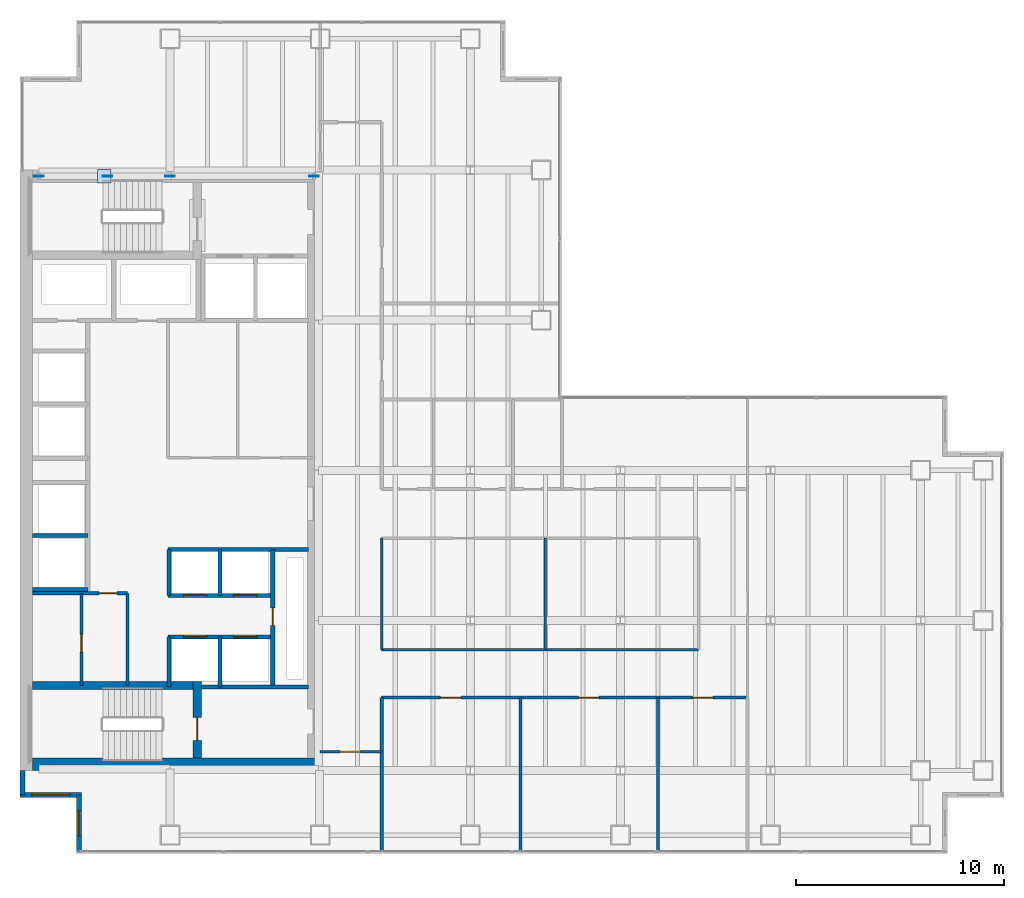
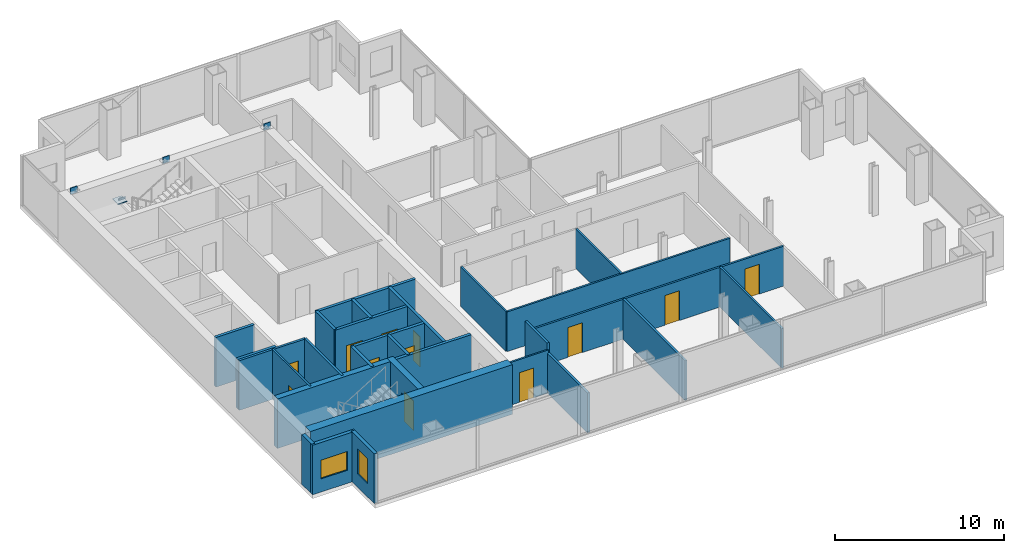
# One storey, part 20 of 23: 29 walls, 12 doors, 5 plates, 2 windows, 14 openings.
"""IFC4 building model written with IfcOpenShell, lengths in metres."""

from ifc_helpers import new_model, si_unit, direction, frame, frame_2d, origin, origin_2d, place, context, subcontext, project, spatial, rectangle, extrude, material, layer, layer_set, type_object, element, fill, save


model = new_model("IFC4")

# Units and contexts
model_context = context("Model", 3, precision=1e-05, world=origin(), true_north=direction((0.0, 1.0)))
body_context = subcontext(model_context, "Body", "Model", "MODEL_VIEW")
ifc_project = project(units=[si_unit("LENGTHUNIT", "METRE"), si_unit("AREAUNIT", "SQUARE_METRE"), si_unit("VOLUMEUNIT", "CUBIC_METRE"), si_unit("PLANEANGLEUNIT", "RADIAN"), si_unit("MASSUNIT", "GRAM", prefix="KILO")], contexts=[model_context])

# Site, building, storey
site_placement = place(None, origin())
site = spatial("IfcSite", under=ifc_project, at=site_placement, CompositionType="ELEMENT")
building_placement = place(site_placement, origin())
building = spatial("IfcBuilding", under=site, at=building_placement, Name="Cobrela Telecom Tower", CompositionType="ELEMENT")
storey_placement = place(building_placement, frame((0.0, 0.0, 113.75)))
storey = spatial("IfcBuildingStorey", under=building, at=storey_placement, Name="L28", CompositionType="ELEMENT", Elevation=113.75)

# Plates
ifc_material_1 = material(Name="Steel ASTM A572 Grade 50", Category="steel")
ifc_layer_1 = layer(ifc_material_1, 0.0419921875)
ifc_layer_set_1 = layer_set([ifc_layer_1], Name="Steel ASTM A572 Grade 50")
plate_type = type_object("IfcPlateType", Name="PLT-NODE-ND1", PredefinedType="USERDEFINED", material=ifc_layer_set_1)
for number, where, z_axis, x_axis, name in (
    (1, (7.199951171875, 35.699951171875, 3.39013671875), (0.0, 0.0, 1.0), (1.0, 0.0, 0.0), "Steel node plate PLT-MBR-EXO-L28-N1-A-1"),
    (2, (4.1953125, 35.699951171875, 1.4755859375), (0.0, 0.0, 1.0), (-1.0, 0.0, 0.0), "Steel node plate PLT-MBR-EXO-L28-N1-B1-1"),
    (3, (0.89990234375, 35.699951171875, 3.39013671875), (0.0, 0.0, 1.0), (-1.0, 0.0, 0.0), "Steel node plate PLT-MBR-EXO-L28-N1-B2-1"),
):
    element("IfcPlate", number, at=place(storey_placement, frame(where, z_axis=z_axis, x_axis=x_axis)), inside=storey, type_object=plate_type, Name=name, ObjectType="GUSSET PLATE", PredefinedType="USERDEFINED", context=body_context, shape_type="SweptSolid", body=[
        extrude(rectangle(XDim=0.4599609375, YDim=0.044921875, at=origin_2d()), origin(), (0.0, 0.0, 1.0), 0.4599609375),
    ])
plate_1_placement = place(storey_placement, frame((4.050048828125, 35.699951171875, 1.767578125), z_axis=(0.0, 0.0, 1.0), x_axis=(1.0, 0.0, 0.0)))
element("IfcPlate", 4, at=plate_1_placement, inside=storey, type_object=plate_type, Name="L28 Core Flange Steel X-Brace Central X-Crossing Gusset Plate", ObjectType="GUSSET PLATE", PredefinedType="USERDEFINED", context=body_context, shape_type="SweptSolid", body=[
    extrude(rectangle(XDim=0.64990234375, YDim=0.64990234375, at=origin_2d()), origin(), (0.0, 0.0, 1.0), 0.044921875),
])
plate_2_placement = place(storey_placement, frame((14.10009765625, 35.699951171875, 3.39013671875), z_axis=(0.0, 0.0, 1.0), x_axis=(1.0, 0.0, 0.0)))
element("IfcPlate", 5, at=plate_2_placement, inside=storey, type_object=plate_type, Name="Steel node plate PLT-MBR-EXO-L28-N2-1", ObjectType="GUSSET PLATE", PredefinedType="USERDEFINED", context=body_context, shape_type="SweptSolid", body=[
    extrude(rectangle(XDim=0.4599609375, YDim=0.044921875, at=origin_2d()), origin(), (0.0, 0.0, 1.0), 0.4599609375),
])

# Wall
ifc_material_2 = material(Name="Concrete C50/60", Category="concrete")
ifc_layer_2 = layer(ifc_material_2, 0.60009765625)
ifc_layer_set_2 = layer_set([ifc_layer_2], Name="Concrete C50/60")
wall_type_1 = type_object("IfcWallType", Name="WALL-CORE-C50-600", PredefinedType="SHEAR", material=ifc_layer_set_2)
wall_1_placement = place(storey_placement, frame((0.60009765625, 7.5, 0.0), z_axis=(0.0, 0.0, 1.0), x_axis=(1.0, 0.0, 0.0)))
element("IfcWall", 6, at=wall_1_placement, inside=storey, type_object=wall_type_1, Name="L28 South Core Shear Wall", PredefinedType="SHEAR", context=body_context, shape_type="SweptSolid", body=[
    extrude(rectangle(XDim=13.7998046875, YDim=0.60009765625, at=frame_2d((6.89990234375, 0.0))), origin(), (0.0, 0.0, 1.0), 3.580078125),
])

# Wall, opening, window
ifc_material_3 = material(Name="Concrete C40/50", Category="concrete")
ifc_layer_3 = layer(ifc_material_3, 0.239990234375)
ifc_layer_set_3 = layer_set([ifc_layer_3], Name="Concrete C40/50")
wall_type_2 = type_object("IfcWallType", Name="WALL-EXT-300", PredefinedType="STANDARD", material=ifc_layer_set_3)
wall_2_placement = place(storey_placement, frame((2.830078125, 3.320068359375, 0.0), z_axis=(0.0, 0.0, 1.0), x_axis=(0.0, 1.0, 0.0)))
wall_2 = element("IfcWall", 7, at=wall_2_placement, inside=storey, type_object=wall_type_2, Name="L28 Insulated Facade Wall 01", PredefinedType="STANDARD", context=body_context, shape_type="SweptSolid", body=[
    extrude(rectangle(XDim=2.7099609375, YDim=0.239990234375, at=frame_2d((1.35498046875, 0.0))), origin(), (0.0, 0.0, 1.0), 3.580078125),
])
opening_1_placement = place(wall_2_placement, frame((0.7548828125, 0.0, 0.949951171875)))
opening_1 = element("IfcOpeningElement", 8, at=opening_1_placement, cuts=wall_2, Name="Opening WN-19", PredefinedType="OPENING", context=body_context, shape_type="SweptSolid", body=[
    extrude(rectangle(XDim=1.199951171875, YDim=1.800048828125, at=frame_2d((0.60009765625, 0.89990234375))), frame((0.0, 0.1318359375, 0.0), z_axis=(0.0, -1.0, 0.0), x_axis=(1.0, 0.0, 0.0)), (0.0, 0.0, 1.0), 0.263916015625),
])
ifc_material_4 = material(Name="Solar-Control Bronze Low-E Glass", Category="glass")
window_type_1 = type_object("IfcWindowType", Name="WIN-MOD-1200", PartitioningType="SINGLE_PANEL", PredefinedType="WINDOW", material=ifc_material_4)
window_1_placement = place(opening_1_placement, origin())
window_1 = element("IfcWindow", 9, at=window_1_placement, inside=storey, type_object=window_type_1, Name="L28 Corner Notch Facade Window 130", OverallHeight=1.800048828125, OverallWidth=1.199951171875, PartitioningType="SINGLE_PANEL", PredefinedType="WINDOW", context=body_context, shape_type="SweptSolid", body=[
    extrude(rectangle(XDim=1.199951171875, YDim=1.800048828125, at=frame_2d((0.60009765625, 0.89990234375))), frame((0.0, 0.030029296875, 0.0), z_axis=(0.0, -1.0, 0.0), x_axis=(1.0, 0.0, 0.0)), (0.0, 0.0, 1.0), 0.06005859375),
])
fill(opening_1, window_1)

wall_3_placement = place(storey_placement, frame((2.949951171875, 6.030029296875, 0.0), z_axis=(0.0, 0.0, 1.0), x_axis=(-1.0, 0.0, 0.0)))
wall_3 = element("IfcWall", 10, at=wall_3_placement, inside=storey, type_object=wall_type_2, Name="L28 Insulated Facade Wall 02", PredefinedType="STANDARD", context=body_context, shape_type="SweptSolid", body=[
    extrude(rectangle(XDim=2.949951171875, YDim=0.239990234375, at=frame_2d((1.47509765625, 0.0))), origin(), (0.0, 0.0, 1.0), 3.580078125),
])
opening_2_placement = place(wall_3_placement, frame((0.574951171875, 0.0, 0.949951171875)))
opening_2 = element("IfcOpeningElement", 11, at=opening_2_placement, cuts=wall_3, Name="Opening WN-27", PredefinedType="OPENING", context=body_context, shape_type="SweptSolid", body=[
    extrude(rectangle(XDim=1.800048828125, YDim=1.35009765625, at=frame_2d((0.89990234375, 0.675048828125))), frame((0.0, 0.1318359375, 0.0), z_axis=(0.0, -1.0, 0.0), x_axis=(1.0, 0.0, 0.0)), (0.0, 0.0, 1.0), 0.263916015625),
])
window_type_2 = type_object("IfcWindowType", Name="WIN-CLER-1800", PartitioningType="SINGLE_PANEL", PredefinedType="WINDOW", material=ifc_material_4)
window_2_placement = place(opening_2_placement, origin())
window_2 = element("IfcWindow", 12, at=window_2_placement, inside=storey, type_object=window_type_2, Name="L28 Corner Notch Facade Window 131", OverallHeight=1.35009765625, OverallWidth=1.800048828125, PartitioningType="SINGLE_PANEL", PredefinedType="WINDOW", context=body_context, shape_type="SweptSolid", body=[
    extrude(rectangle(XDim=1.800048828125, YDim=1.35009765625, at=frame_2d((0.89990234375, 0.675048828125))), frame((0.0, 0.030029296875, 0.0), z_axis=(0.0, -1.0, 0.0), x_axis=(1.0, 0.0, 0.0)), (0.0, 0.0, 1.0), 0.06005859375),
])
fill(opening_2, window_2)

# Wall
wall_4_placement = place(storey_placement, frame((0.1201171875, 6.030029296875, 0.0), z_axis=(0.0, 0.0, 1.0), x_axis=(0.0, 1.0, 0.0)))
element("IfcWall", 13, at=wall_4_placement, inside=storey, type_object=wall_type_2, Name="L28 Insulated Facade Wall 03", PredefinedType="STANDARD", context=body_context, shape_type="SweptSolid", body=[
    extrude(rectangle(XDim=1.169921875, YDim=0.239990234375, at=frame_2d((0.5849609375, 0.0))), origin(), (0.0, 0.0, 1.0), 3.580078125),
])

# Wall, opening, door
ifc_material_5 = material(Name="Fire-Rated Gypsum Plasterboard")
ifc_layer_4 = layer(ifc_material_5, 0.110107421875)
ifc_layer_set_4 = layer_set([ifc_layer_4], Name="Fire-Rated Gypsum Plasterboard")
wall_type_3 = type_object("IfcWallType", Name="WALL-PART-110", PredefinedType="PARTITIONING", material=ifc_layer_set_4)
wall_5_placement = place(storey_placement, frame((14.39990234375, 8.10009765625, 0.0), z_axis=(0.0, 0.0, 1.0), x_axis=(1.0, 0.0, 0.0)))
wall_5 = element("IfcWall", 14, at=wall_5_placement, inside=storey, type_object=wall_type_3, Name="L28 Interior Partition W-UW-S0", PredefinedType="PARTITIONING", context=body_context, shape_type="SweptSolid", body=[
    extrude(rectangle(XDim=2.9501953125, YDim=0.110107421875, at=frame_2d((1.47509765625, 0.0))), origin(), (0.0, 0.0, 1.0), 3.097900390625),
])
opening_3_placement = place(wall_5_placement, frame((0.949951171875, 0.0, 0.0)))
opening_3 = element("IfcOpeningElement", 15, at=opening_3_placement, cuts=wall_5, Name="Opening DR-17", PredefinedType="OPENING", context=body_context, shape_type="SweptSolid", body=[
    extrude(rectangle(XDim=0.97998046875, YDim=2.14990234375, at=frame_2d((0.489990234375, 1.074951171875))), frame((0.0, 0.06689453125, 0.0), z_axis=(0.0, -1.0, 0.0), x_axis=(1.0, 0.0, 0.0)), (0.0, 0.0, 1.0), 0.134033203125),
])
ifc_material_6 = material(Name="Solid Engineered Oak Timber", Category="wood")
door_type_1 = type_object("IfcDoorType", Name="DOOR-INT-980", OperationType="SINGLE_SWING_LEFT", PredefinedType="DOOR", material=ifc_material_6)
door_1_placement = place(opening_3_placement, origin())
door_1 = element("IfcDoor", 16, at=door_1_placement, inside=storey, type_object=door_type_1, Name="L28 Door DR-17", OperationType="SINGLE_SWING_RIGHT", OverallHeight=2.14990234375, OverallWidth=0.97998046875, PredefinedType="DOOR", context=body_context, shape_type="SweptSolid", body=[
    extrude(rectangle(XDim=0.97998046875, YDim=2.14990234375, at=frame_2d((0.489990234375, 1.074951171875))), frame((0.0, 0.02490234375, 0.0), z_axis=(0.0, -1.0, 0.0), x_axis=(1.0, 0.0, 0.0)), (0.0, 0.0, 1.0), 0.050048828125),
])
fill(opening_3, door_1)

ifc_layer_5 = layer(ifc_material_5, 0.125)
ifc_layer_set_5 = layer_set([ifc_layer_5], Name="Fire-Rated Gypsum Plasterboard")
wall_type_4 = type_object("IfcWallType", Name="WALL-PART-125", PredefinedType="PARTITIONING", material=ifc_layer_set_5)
wall_6_placement = place(storey_placement, frame((2.949951171875, 11.280029296875, 0.0), z_axis=(0.0, 0.0, 1.0), x_axis=(0.0, 1.0, 0.0)))
wall_6 = element("IfcWall", 17, at=wall_6_placement, inside=storey, type_object=wall_type_4, Name="L28 Interior Partition CW-FK1-V", PredefinedType="PARTITIONING", context=body_context, shape_type="SweptSolid", body=[
    extrude(rectangle(XDim=4.419921875, YDim=0.125, at=frame_2d((2.2099609375, 0.0))), origin(), (0.0, 0.0, 1.0), 3.580078125),
])
opening_4_placement = place(wall_6_placement, frame((1.60009765625, 0.0, 0.0)))
opening_4 = element("IfcOpeningElement", 18, at=opening_4_placement, cuts=wall_6, Name="Opening DR-11", PredefinedType="OPENING", context=body_context, shape_type="SweptSolid", body=[
    extrude(rectangle(XDim=0.85009765625, YDim=2.14990234375, at=frame_2d((0.425048828125, 1.074951171875))), frame((0.0, 0.074462890625, 0.0), z_axis=(0.0, -1.0, 0.0), x_axis=(1.0, 0.0, 0.0)), (0.0, 0.0, 1.0), 0.14892578125),
])
door_type_2 = type_object("IfcDoorType", Name="DOOR-INT-850", OperationType="SINGLE_SWING_LEFT", PredefinedType="DOOR", material=ifc_material_6)
door_2_placement = place(opening_4_placement, origin())
door_2 = element("IfcDoor", 19, at=door_2_placement, inside=storey, type_object=door_type_2, Name="L28 Door DR-11", OperationType="SINGLE_SWING_RIGHT", OverallHeight=2.14990234375, OverallWidth=0.85009765625, PredefinedType="DOOR", context=body_context, shape_type="SweptSolid", body=[
    extrude(rectangle(XDim=0.85009765625, YDim=2.14990234375, at=frame_2d((0.425048828125, 1.074951171875))), frame((0.0, 0.02490234375, 0.0), z_axis=(0.0, -1.0, 0.0), x_axis=(1.0, 0.0, 0.0)), (0.0, 0.0, 1.0), 0.050048828125),
])
fill(opening_4, door_2)

# Walls
wall_7_placement = place(storey_placement, frame((17.35009765625, 13.0, 0.0), z_axis=(0.0, 0.0, 1.0), x_axis=(0.0, 1.0, 0.0)))
element("IfcWall", 20, at=wall_7_placement, inside=storey, type_object=wall_type_4, Name="L28 Interior Partition W-ISL-W", PredefinedType="PARTITIONING", context=body_context, shape_type="SweptSolid", body=[
    extrude(rectangle(XDim=5.35009765625, YDim=0.125, at=frame_2d((2.675048828125, 0.0))), origin(), (0.0, 0.0, 1.0), 2.868896484375),
])
wall_8_placement = place(storey_placement, frame((17.35009765625, 13.0, 0.0), z_axis=(0.0, 0.0, 1.0), x_axis=(1.0, 0.0, 0.0)))
element("IfcWall", 21, at=wall_8_placement, inside=storey, type_object=wall_type_4, Name="L28 Interior Partition W-ISL-S", PredefinedType="PARTITIONING", context=body_context, shape_type="SweptSolid", body=[
    extrude(rectangle(XDim=15.199951171875, YDim=0.125, at=frame_2d((7.60009765625, 0.0))), origin(), (0.0, 0.0, 1.0), 2.868896484375),
])
wall_9_placement = place(storey_placement, frame((25.199951171875, 13.0, 0.0), z_axis=(0.0, 0.0, 1.0), x_axis=(0.0, 1.0, 0.0)))
element("IfcWall", 22, at=wall_9_placement, inside=storey, type_object=wall_type_4, Name="L28 Interior Partition W-ISLV-1", PredefinedType="PARTITIONING", context=body_context, shape_type="SweptSolid", body=[
    extrude(rectangle(XDim=5.35009765625, YDim=0.125, at=frame_2d((2.675048828125, 0.0))), origin(), (0.0, 0.0, 1.0), 2.868896484375),
])

# Wall, openings, doors
ifc_layer_6 = layer(ifc_material_5, 0.135009765625)
ifc_layer_set_6 = layer_set([ifc_layer_6], Name="Fire-Rated Gypsum Plasterboard")
wall_type_5 = type_object("IfcWallType", Name="WALL-PART-135", PredefinedType="PARTITIONING", material=ifc_layer_set_6)
wall_10_placement = place(storey_placement, frame((17.35009765625, 10.699951171875, 0.0), z_axis=(0.0, 0.0, 1.0), x_axis=(1.0, 0.0, 0.0)))
wall_10 = element("IfcWall", 23, at=wall_10_placement, inside=storey, type_object=wall_type_5, Name="L28 Interior Partition W-US-S", PredefinedType="PARTITIONING", context=body_context, shape_type="SweptSolid", body=[
    extrude(rectangle(XDim=17.5498046875, YDim=0.135009765625, at=frame_2d((8.77490234375, 0.0))), origin(), (0.0, 0.0, 1.0), 2.868896484375),
])
opening_5_placement = place(wall_10_placement, frame((2.820068359375, 0.0, 0.0)))
opening_5 = element("IfcOpeningElement", 24, at=opening_5_placement, cuts=wall_10, Name="Opening DR-17", PredefinedType="OPENING", context=body_context, shape_type="SweptSolid", body=[
    extrude(rectangle(XDim=0.97998046875, YDim=2.14990234375, at=frame_2d((0.489990234375, 1.074951171875))), frame((0.0, 0.07958984375, 0.0), z_axis=(0.0, -1.0, 0.0), x_axis=(1.0, 0.0, 0.0)), (0.0, 0.0, 1.0), 0.158935546875),
])
opening_6_placement = place(wall_10_placement, frame((9.449951171875, 0.0, 0.0)))
opening_6 = element("IfcOpeningElement", 25, at=opening_6_placement, cuts=wall_10, Name="Opening DR-17", PredefinedType="OPENING", context=body_context, shape_type="SweptSolid", body=[
    extrude(rectangle(XDim=0.97998046875, YDim=2.14990234375, at=frame_2d((0.489990234375, 1.074951171875))), frame((0.0, 0.07958984375, 0.0), z_axis=(0.0, -1.0, 0.0), x_axis=(1.0, 0.0, 0.0)), (0.0, 0.0, 1.0), 0.158935546875),
])
opening_7_placement = place(wall_10_placement, frame((14.89990234375, 0.0, 0.0)))
opening_7 = element("IfcOpeningElement", 26, at=opening_7_placement, cuts=wall_10, Name="Opening DR-17", PredefinedType="OPENING", context=body_context, shape_type="SweptSolid", body=[
    extrude(rectangle(XDim=0.97998046875, YDim=2.14990234375, at=frame_2d((0.489990234375, 1.074951171875))), frame((0.0, 0.07958984375, 0.0), z_axis=(0.0, -1.0, 0.0), x_axis=(1.0, 0.0, 0.0)), (0.0, 0.0, 1.0), 0.158935546875),
])
door_3_placement = place(opening_5_placement, origin())
door_3 = element("IfcDoor", 27, at=door_3_placement, inside=storey, type_object=door_type_1, Name="L28 Door DR-17", OperationType="SINGLE_SWING_LEFT", OverallHeight=2.14990234375, OverallWidth=0.97998046875, PredefinedType="DOOR", context=body_context, shape_type="SweptSolid", body=[
    extrude(rectangle(XDim=0.97998046875, YDim=2.14990234375, at=frame_2d((0.489990234375, 1.074951171875))), frame((0.0, 0.02490234375, 0.0), z_axis=(0.0, -1.0, 0.0), x_axis=(1.0, 0.0, 0.0)), (0.0, 0.0, 1.0), 0.050048828125),
])
fill(opening_5, door_3)
door_4_placement = place(opening_6_placement, origin())
door_4 = element("IfcDoor", 28, at=door_4_placement, inside=storey, type_object=door_type_1, Name="L28 Door DR-17", OperationType="SINGLE_SWING_RIGHT", OverallHeight=2.14990234375, OverallWidth=0.97998046875, PredefinedType="DOOR", context=body_context, shape_type="SweptSolid", body=[
    extrude(rectangle(XDim=0.97998046875, YDim=2.14990234375, at=frame_2d((0.489990234375, 1.074951171875))), frame((0.0, 0.02490234375, 0.0), z_axis=(0.0, -1.0, 0.0), x_axis=(1.0, 0.0, 0.0)), (0.0, 0.0, 1.0), 0.050048828125),
])
fill(opening_6, door_4)
door_5_placement = place(opening_7_placement, origin())
door_5 = element("IfcDoor", 29, at=door_5_placement, inside=storey, type_object=door_type_1, Name="L28 Door DR-17", OperationType="SINGLE_SWING_LEFT", OverallHeight=2.14990234375, OverallWidth=0.97998046875, PredefinedType="DOOR", context=body_context, shape_type="SweptSolid", body=[
    extrude(rectangle(XDim=0.97998046875, YDim=2.14990234375, at=frame_2d((0.489990234375, 1.074951171875))), frame((0.0, 0.02490234375, 0.0), z_axis=(0.0, -1.0, 0.0), x_axis=(1.0, 0.0, 0.0)), (0.0, 0.0, 1.0), 0.050048828125),
])
fill(opening_7, door_5)

# Walls
wall_11_placement = place(storey_placement, frame((30.60009765625, 3.320068359375, 0.0), z_axis=(0.0, 0.0, 1.0), x_axis=(0.0, 1.0, 0.0)))
element("IfcWall", 30, at=wall_11_placement, inside=storey, type_object=wall_type_5, Name="L28 Interior Partition W-USV-2", PredefinedType="PARTITIONING", context=body_context, shape_type="SweptSolid", body=[
    extrude(rectangle(XDim=7.3798828125, YDim=0.135009765625, at=frame_2d((3.68994140625, 0.0))), origin(), (0.0, 0.0, 1.0), 2.868896484375),
])
ifc_layer_7 = layer(ifc_material_5, 0.14990234375)
ifc_layer_set_7 = layer_set([ifc_layer_7], Name="Fire-Rated Gypsum Plasterboard")
wall_type_6 = type_object("IfcWallType", Name="WALL-PART-150", PredefinedType="PARTITIONING", material=ifc_layer_set_7)
wall_12_placement = place(storey_placement, frame((5.14990234375, 11.280029296875, 0.0), z_axis=(0.0, 0.0, 1.0), x_axis=(0.0, 1.0, 0.0)))
element("IfcWall", 31, at=wall_12_placement, inside=storey, type_object=wall_type_6, Name="L28 Interior Partition CW-FLEX-E", PredefinedType="PARTITIONING", context=body_context, shape_type="SweptSolid", body=[
    extrude(rectangle(XDim=4.419921875, YDim=0.14990234375, at=frame_2d((2.2099609375, 0.0))), origin(), (0.0, 0.0, 1.0), 3.580078125),
])
wall_13_placement = place(storey_placement, frame((24.0, 3.320068359375, 0.0), z_axis=(0.0, 0.0, 1.0), x_axis=(0.0, 1.0, 0.0)))
element("IfcWall", 32, at=wall_13_placement, inside=storey, type_object=wall_type_6, Name="L28 Interior Partition W-USV-1", PredefinedType="PARTITIONING", context=body_context, shape_type="SweptSolid", body=[
    extrude(rectangle(XDim=7.3798828125, YDim=0.14990234375, at=frame_2d((3.68994140625, 0.0))), origin(), (0.0, 0.0, 1.0), 2.868896484375),
])

# Wall, opening, door
ifc_layer_8 = layer(ifc_material_5, 0.159912109375)
ifc_layer_set_8 = layer_set([ifc_layer_8], Name="Fire-Rated Gypsum Plasterboard")
wall_type_7 = type_object("IfcWallType", Name="WALL-PART-160", PredefinedType="PARTITIONING", material=ifc_layer_set_8)
wall_14_placement = place(storey_placement, frame((0.60009765625, 15.699951171875, 0.0), z_axis=(0.0, 0.0, 1.0), x_axis=(1.0, 0.0, 0.0)))
wall_14 = element("IfcWall", 33, at=wall_14_placement, inside=storey, type_object=wall_type_7, Name="L28 Interior Partition CW-FLEX-N", PredefinedType="PARTITIONING", context=body_context, shape_type="SweptSolid", body=[
    extrude(rectangle(XDim=4.5498046875, YDim=0.159912109375, at=frame_2d((2.27490234375, 0.0))), origin(), (0.0, 0.0, 1.0), 3.580078125),
])
opening_8_placement = place(wall_14_placement, frame((3.199951171875, 0.0, 0.0)))
opening_8 = element("IfcOpeningElement", 34, at=opening_8_placement, cuts=wall_14, Name="Opening DR-11", PredefinedType="OPENING", context=body_context, shape_type="SweptSolid", body=[
    extrude(rectangle(XDim=0.85009765625, YDim=2.14990234375, at=frame_2d((0.425048828125, 1.074951171875))), frame((0.0, 0.091796875, 0.0), z_axis=(0.0, -1.0, 0.0), x_axis=(1.0, 0.0, 0.0)), (0.0, 0.0, 1.0), 0.183837890625),
])
door_6_placement = place(opening_8_placement, origin())
door_6 = element("IfcDoor", 35, at=door_6_placement, inside=storey, type_object=door_type_2, Name="L28 Door DR-11", OperationType="SINGLE_SWING_LEFT", OverallHeight=2.14990234375, OverallWidth=0.85009765625, PredefinedType="DOOR", context=body_context, shape_type="SweptSolid", body=[
    extrude(rectangle(XDim=0.85009765625, YDim=2.14990234375, at=frame_2d((0.425048828125, 1.074951171875))), frame((0.0, 0.02490234375, 0.0), z_axis=(0.0, -1.0, 0.0), x_axis=(1.0, 0.0, 0.0)), (0.0, 0.0, 1.0), 0.050048828125),
])
fill(opening_8, door_6)

# Walls
wall_15_placement = place(storey_placement, frame((17.35009765625, 8.10009765625, 0.0), z_axis=(0.0, 0.0, 1.0), x_axis=(0.0, 1.0, 0.0)))
element("IfcWall", 36, at=wall_15_placement, inside=storey, type_object=wall_type_7, Name="L28 Interior Partition W-UW-E1", PredefinedType="PARTITIONING", context=body_context, shape_type="SweptSolid", body=[
    extrude(rectangle(XDim=2.599853515625, YDim=0.159912109375, at=frame_2d((1.2998046875, 0.0))), origin(), (0.0, 0.0, 1.0), 3.580078125),
])
wall_16_placement = place(storey_placement, frame((17.35009765625, 3.320068359375, 0.0), z_axis=(0.0, 0.0, 1.0), x_axis=(0.0, 1.0, 0.0)))
element("IfcWall", 37, at=wall_16_placement, inside=storey, type_object=wall_type_7, Name="L28 Interior Partition W-USW-E", PredefinedType="PARTITIONING", context=body_context, shape_type="SweptSolid", body=[
    extrude(rectangle(XDim=4.780029296875, YDim=0.159912109375, at=frame_2d((2.39013671875, 0.0))), origin(), (0.0, 0.0, 1.0), 2.868896484375),
])
ifc_layer_9 = layer(ifc_material_5, 0.199951171875)
ifc_layer_set_9 = layer_set([ifc_layer_9], Name="Fire-Rated Gypsum Plasterboard")
wall_type_8 = type_object("IfcWallType", Name="WALL-SHAFT-200", PredefinedType="PARTITIONING", material=ifc_layer_set_9)
wall_17_placement = place(storey_placement, frame((8.699951171875, 11.199951171875, 0.0), z_axis=(0.0, 0.0, 1.0), x_axis=(1.0, 0.0, 0.0)))
element("IfcWall", 38, at=wall_17_placement, inside=storey, type_object=wall_type_8, Name="L28 Shaft Enclosure CW-ST2L-N", PredefinedType="PARTITIONING", context=body_context, shape_type="SweptSolid", body=[
    extrude(rectangle(XDim=5.150146484375, YDim=0.199951171875, at=frame_2d((2.5751953125, 0.0))), origin(), (0.0, 0.0, 1.0), 3.580078125),
])
for number, where, z_axis, x_axis, name in (
    (39, (0.60009765625, 15.8798828125, 0.0), (0.0, 0.0, 1.0), (1.0, 0.0, 0.0), "L28 Shaft Enclosure CW-PLH-D9"),
    (40, (0.60009765625, 18.47998046875, 0.0), (0.0, 0.0, 1.0), (1.0, 0.0, 0.0), "L28 Shaft Enclosure CW-PLH-D10"),
):
    element("IfcWall", number, at=place(storey_placement, frame(where, z_axis=z_axis, x_axis=x_axis)), inside=storey, type_object=wall_type_8, Name=name, PredefinedType="PARTITIONING", context=body_context, shape_type="SweptSolid", body=[
        extrude(rectangle(XDim=2.64990234375, YDim=0.199951171875, at=frame_2d((1.324951171875, 0.0))), origin(), (0.0, 0.0, 1.0), 3.580078125),
    ])
wall_18_placement = place(storey_placement, frame((7.10009765625, 17.800048828125, 0.0), z_axis=(0.0, 0.0, 1.0), x_axis=(1.0, 0.0, 0.0)))
element("IfcWall", 41, at=wall_18_placement, inside=storey, type_object=wall_type_8, Name="L28 Shaft Enclosure CW-PLM-T0", PredefinedType="PARTITIONING", context=body_context, shape_type="SweptSolid", body=[
    extrude(rectangle(XDim=6.75, YDim=0.199951171875, at=frame_2d((3.375, 0.0))), origin(), (0.0, 0.0, 1.0), 3.580078125),
])

# Wall, openings, doors
wall_19_placement = place(storey_placement, frame((7.10009765625, 15.60009765625, 0.0), z_axis=(0.0, 0.0, 1.0), x_axis=(1.0, 0.0, 0.0)))
wall_19 = element("IfcWall", 42, at=wall_19_placement, inside=storey, type_object=wall_type_8, Name="L28 Shaft Enclosure CW-PLM-N", PredefinedType="PARTITIONING", context=body_context, shape_type="SweptSolid", body=[
    extrude(rectangle(XDim=5.02001953125, YDim=0.199951171875, at=frame_2d((2.510009765625, 0.0))), origin(), (0.0, 0.0, 1.0), 3.580078125),
])
opening_9_placement = place(wall_19_placement, frame((0.75, 0.0, 0.0)))
opening_9 = element("IfcOpeningElement", 43, at=opening_9_placement, cuts=wall_19, Name="Opening LD-1", PredefinedType="OPENING", context=body_context, shape_type="SweptSolid", body=[
    extrude(rectangle(XDim=1.10009765625, YDim=2.199951171875, at=frame_2d((0.550048828125, 1.10009765625))), frame((0.0, 0.11181640625, 0.0), z_axis=(0.0, -1.0, 0.0), x_axis=(1.0, 0.0, 0.0)), (0.0, 0.0, 1.0), 0.223876953125),
])
opening_10_placement = place(wall_19_placement, frame((3.14990234375, 0.0, 0.0)))
opening_10 = element("IfcOpeningElement", 44, at=opening_10_placement, cuts=wall_19, Name="Opening LD-1", PredefinedType="OPENING", context=body_context, shape_type="SweptSolid", body=[
    extrude(rectangle(XDim=1.10009765625, YDim=2.199951171875, at=frame_2d((0.550048828125, 1.10009765625))), frame((0.0, 0.11181640625, 0.0), z_axis=(0.0, -1.0, 0.0), x_axis=(1.0, 0.0, 0.0)), (0.0, 0.0, 1.0), 0.223876953125),
])
ifc_material_7 = material(Name="Steel ASTM A36", Category="steel")
door_type_3 = type_object("IfcDoorType", Name="DOOR-LD-PL", OperationType="SINGLE_SWING_LEFT", PredefinedType="DOOR", material=ifc_material_7)
door_7_placement = place(opening_9_placement, origin())
door_7 = element("IfcDoor", 45, at=door_7_placement, inside=storey, type_object=door_type_3, Name="L28 Lift Landing Door LD-1", OperationType="DOUBLE_DOOR_SLIDING", OverallHeight=2.199951171875, OverallWidth=1.10009765625, PredefinedType="DOOR", context=body_context, shape_type="SweptSolid", body=[
    extrude(rectangle(XDim=1.10009765625, YDim=2.199951171875, at=frame_2d((0.550048828125, 1.10009765625))), frame((0.0, 0.02490234375, 0.0), z_axis=(0.0, -1.0, 0.0), x_axis=(1.0, 0.0, 0.0)), (0.0, 0.0, 1.0), 0.050048828125),
])
fill(opening_9, door_7)
door_8_placement = place(opening_10_placement, origin())
door_8 = element("IfcDoor", 46, at=door_8_placement, inside=storey, type_object=door_type_3, Name="L28 Lift Landing Door LD-1", OperationType="DOUBLE_DOOR_SLIDING", OverallHeight=2.199951171875, OverallWidth=1.10009765625, PredefinedType="DOOR", context=body_context, shape_type="SweptSolid", body=[
    extrude(rectangle(XDim=1.10009765625, YDim=2.199951171875, at=frame_2d((0.550048828125, 1.10009765625))), frame((0.0, 0.02490234375, 0.0), z_axis=(0.0, -1.0, 0.0), x_axis=(1.0, 0.0, 0.0)), (0.0, 0.0, 1.0), 0.050048828125),
])
fill(opening_10, door_8)

wall_20_placement = place(storey_placement, frame((7.10009765625, 13.60009765625, 0.0), z_axis=(0.0, 0.0, 1.0), x_axis=(1.0, 0.0, 0.0)))
wall_20 = element("IfcWall", 47, at=wall_20_placement, inside=storey, type_object=wall_type_8, Name="L28 Shaft Enclosure CW-PLM-S", PredefinedType="PARTITIONING", context=body_context, shape_type="SweptSolid", body=[
    extrude(rectangle(XDim=5.02001953125, YDim=0.199951171875, at=frame_2d((2.510009765625, 0.0))), origin(), (0.0, 0.0, 1.0), 3.580078125),
])
opening_11_placement = place(wall_20_placement, frame((0.75, 0.0, 0.0)))
opening_11 = element("IfcOpeningElement", 48, at=opening_11_placement, cuts=wall_20, Name="Opening LD-1", PredefinedType="OPENING", context=body_context, shape_type="SweptSolid", body=[
    extrude(rectangle(XDim=1.10009765625, YDim=2.199951171875, at=frame_2d((0.550048828125, 1.10009765625))), frame((0.0, 0.11181640625, 0.0), z_axis=(0.0, -1.0, 0.0), x_axis=(1.0, 0.0, 0.0)), (0.0, 0.0, 1.0), 0.223876953125),
])
opening_12_placement = place(wall_20_placement, frame((3.14990234375, 0.0, 0.0)))
opening_12 = element("IfcOpeningElement", 49, at=opening_12_placement, cuts=wall_20, Name="Opening LD-1", PredefinedType="OPENING", context=body_context, shape_type="SweptSolid", body=[
    extrude(rectangle(XDim=1.10009765625, YDim=2.199951171875, at=frame_2d((0.550048828125, 1.10009765625))), frame((0.0, 0.11181640625, 0.0), z_axis=(0.0, -1.0, 0.0), x_axis=(1.0, 0.0, 0.0)), (0.0, 0.0, 1.0), 0.223876953125),
])
door_9_placement = place(opening_11_placement, origin())
door_9 = element("IfcDoor", 50, at=door_9_placement, inside=storey, type_object=door_type_3, Name="L28 Lift Landing Door LD-1", OperationType="DOUBLE_DOOR_SLIDING", OverallHeight=2.199951171875, OverallWidth=1.10009765625, PredefinedType="DOOR", context=body_context, shape_type="SweptSolid", body=[
    extrude(rectangle(XDim=1.10009765625, YDim=2.199951171875, at=frame_2d((0.550048828125, 1.10009765625))), frame((0.0, 0.02490234375, 0.0), z_axis=(0.0, -1.0, 0.0), x_axis=(1.0, 0.0, 0.0)), (0.0, 0.0, 1.0), 0.050048828125),
])
fill(opening_11, door_9)
door_10_placement = place(opening_12_placement, origin())
door_10 = element("IfcDoor", 51, at=door_10_placement, inside=storey, type_object=door_type_3, Name="L28 Lift Landing Door LD-1", OperationType="DOUBLE_DOOR_SLIDING", OverallHeight=2.199951171875, OverallWidth=1.10009765625, PredefinedType="DOOR", context=body_context, shape_type="SweptSolid", body=[
    extrude(rectangle(XDim=1.10009765625, YDim=2.199951171875, at=frame_2d((0.550048828125, 1.10009765625))), frame((0.0, 0.02490234375, 0.0), z_axis=(0.0, -1.0, 0.0), x_axis=(1.0, 0.0, 0.0)), (0.0, 0.0, 1.0), 0.050048828125),
])
fill(opening_12, door_10)

# Walls
wall_21_placement = place(storey_placement, frame((7.14990234375, 15.60009765625, 0.0), z_axis=(0.0, 0.0, 1.0), x_axis=(0.0, 1.0, 0.0)))
element("IfcWall", 52, at=wall_21_placement, inside=storey, type_object=wall_type_8, Name="L28 Shaft Enclosure CW-PLM-V1", PredefinedType="PARTITIONING", context=body_context, shape_type="SweptSolid", body=[
    extrude(rectangle(XDim=2.199951171875, YDim=0.199951171875, at=frame_2d((1.10009765625, 0.0))), origin(), (0.0, 0.0, 1.0), 3.580078125),
])
wall_22_placement = place(storey_placement, frame((7.14990234375, 11.199951171875, 0.0), z_axis=(0.0, 0.0, 1.0), x_axis=(0.0, 1.0, 0.0)))
element("IfcWall", 53, at=wall_22_placement, inside=storey, type_object=wall_type_8, Name="L28 Shaft Enclosure CW-PLM-V1B", PredefinedType="PARTITIONING", context=body_context, shape_type="SweptSolid", body=[
    extrude(rectangle(XDim=2.400146484375, YDim=0.199951171875, at=frame_2d((1.2001953125, 0.0))), origin(), (0.0, 0.0, 1.0), 3.580078125),
])
wall_23_placement = place(storey_placement, frame((9.60009765625, 15.60009765625, 0.0), z_axis=(0.0, 0.0, 1.0), x_axis=(0.0, 1.0, 0.0)))
element("IfcWall", 54, at=wall_23_placement, inside=storey, type_object=wall_type_8, Name="L28 Shaft Enclosure CW-PLM-V2", PredefinedType="PARTITIONING", context=body_context, shape_type="SweptSolid", body=[
    extrude(rectangle(XDim=2.199951171875, YDim=0.199951171875, at=frame_2d((1.10009765625, 0.0))), origin(), (0.0, 0.0, 1.0), 3.580078125),
])
wall_24_placement = place(storey_placement, frame((9.60009765625, 11.199951171875, 0.0), z_axis=(0.0, 0.0, 1.0), x_axis=(0.0, 1.0, 0.0)))
element("IfcWall", 55, at=wall_24_placement, inside=storey, type_object=wall_type_8, Name="L28 Shaft Enclosure CW-PLM-V2B", PredefinedType="PARTITIONING", context=body_context, shape_type="SweptSolid", body=[
    extrude(rectangle(XDim=2.400146484375, YDim=0.199951171875, at=frame_2d((1.2001953125, 0.0))), origin(), (0.0, 0.0, 1.0), 3.580078125),
])

# Wall, opening, door
wall_25_placement = place(storey_placement, frame((12.1201171875, 11.199951171875, 0.0), z_axis=(0.0, 0.0, 1.0), x_axis=(0.0, 1.0, 0.0)))
wall_25 = element("IfcWall", 56, at=wall_25_placement, inside=storey, type_object=wall_type_8, Name="L28 Shaft Enclosure CW-PLM-V3", PredefinedType="PARTITIONING", context=body_context, shape_type="SweptSolid", body=[
    extrude(rectangle(XDim=6.60009765625, YDim=0.199951171875, at=frame_2d((3.300048828125, 0.0))), origin(), (0.0, 0.0, 1.0), 3.580078125),
])
opening_13_placement = place(wall_25_placement, frame((2.949951171875, 0.0, 0.0)))
opening_13 = element("IfcOpeningElement", 57, at=opening_13_placement, cuts=wall_25, Name="Opening DR-11", PredefinedType="OPENING", context=body_context, shape_type="SweptSolid", body=[
    extrude(rectangle(XDim=0.85009765625, YDim=2.14990234375, at=frame_2d((0.425048828125, 1.074951171875))), frame((0.0, 0.11181640625, 0.0), z_axis=(0.0, -1.0, 0.0), x_axis=(1.0, 0.0, 0.0)), (0.0, 0.0, 1.0), 0.223876953125),
])
door_11_placement = place(opening_13_placement, origin())
door_11 = element("IfcDoor", 58, at=door_11_placement, inside=storey, type_object=door_type_2, Name="L28 Door DR-11", OperationType="SINGLE_SWING_RIGHT", OverallHeight=2.14990234375, OverallWidth=0.85009765625, PredefinedType="DOOR", context=body_context, shape_type="SweptSolid", body=[
    extrude(rectangle(XDim=0.85009765625, YDim=2.14990234375, at=frame_2d((0.425048828125, 1.074951171875))), frame((0.0, 0.02490234375, 0.0), z_axis=(0.0, -1.0, 0.0), x_axis=(1.0, 0.0, 0.0)), (0.0, 0.0, 1.0), 0.050048828125),
])
fill(opening_13, door_11)

# Wall
ifc_layer_10 = layer(ifc_material_3, 0.39990234375)
ifc_layer_set_10 = layer_set([ifc_layer_10], Name="Concrete C40/50")
wall_type_9 = type_object("IfcWallType", Name="WALL-SHAFT-C40-400", PredefinedType="SHEAR", material=ifc_layer_set_10)
wall_26_placement = place(storey_placement, frame((0.60009765625, 11.280029296875, 0.0), z_axis=(0.0, 0.0, 1.0), x_axis=(1.0, 0.0, 0.0)))
element("IfcWall", 59, at=wall_26_placement, inside=storey, type_object=wall_type_9, Name="L28 South Stair Shear Wall", PredefinedType="SHEAR", context=body_context, shape_type="SweptSolid", body=[
    extrude(rectangle(XDim=7.699951171875, YDim=0.39990234375, at=frame_2d((3.85009765625, 0.0))), origin(), (0.0, 0.0, 1.0), 3.580078125),
])

# Wall, opening, door
wall_27_placement = place(storey_placement, frame((8.5, 7.800048828125, 0.0), z_axis=(0.0, 0.0, 1.0), x_axis=(0.0, 1.0, 0.0)))
wall_27 = element("IfcWall", 60, at=wall_27_placement, inside=storey, type_object=wall_type_9, Name="L28 South Stair Lobby Shear Wall", PredefinedType="SHEAR", context=body_context, shape_type="SweptSolid", body=[
    extrude(rectangle(XDim=3.679931640625, YDim=0.39990234375, at=frame_2d((1.83984375, 0.0))), origin(), (0.0, 0.0, 1.0), 3.580078125),
])
opening_14_placement = place(wall_27_placement, frame((0.85009765625, 0.0, 0.0)))
opening_14 = element("IfcOpeningElement", 61, at=opening_14_placement, cuts=wall_27, Name="Opening FD-90", PredefinedType="OPENING", context=body_context, shape_type="SweptSolid", body=[
    extrude(rectangle(XDim=1.10009765625, YDim=2.14990234375, at=frame_2d((0.550048828125, 1.074951171875))), frame((0.0, 0.2119140625, 0.0), z_axis=(0.0, -1.0, 0.0), x_axis=(1.0, 0.0, 0.0)), (0.0, 0.0, 1.0), 0.423828125),
])
door_type_4 = type_object("IfcDoorType", Name="DOOR-FD90-1100", OperationType="SINGLE_SWING_LEFT", PredefinedType="DOOR", material=ifc_material_7)
door_12_placement = place(opening_14_placement, origin())
door_12 = element("IfcDoor", 62, at=door_12_placement, inside=storey, type_object=door_type_4, Name="L28 Door FD-90", OperationType="SINGLE_SWING_LEFT", OverallHeight=2.14990234375, OverallWidth=1.10009765625, PredefinedType="DOOR", context=body_context, shape_type="SweptSolid", body=[
    extrude(rectangle(XDim=1.10009765625, YDim=2.14990234375, at=frame_2d((0.550048828125, 1.074951171875))), frame((0.0, 0.02490234375, 0.0), z_axis=(0.0, -1.0, 0.0), x_axis=(1.0, 0.0, 0.0)), (0.0, 0.0, 1.0), 0.050048828125),
])
fill(opening_14, door_12)

save(model, "model.ifc")
